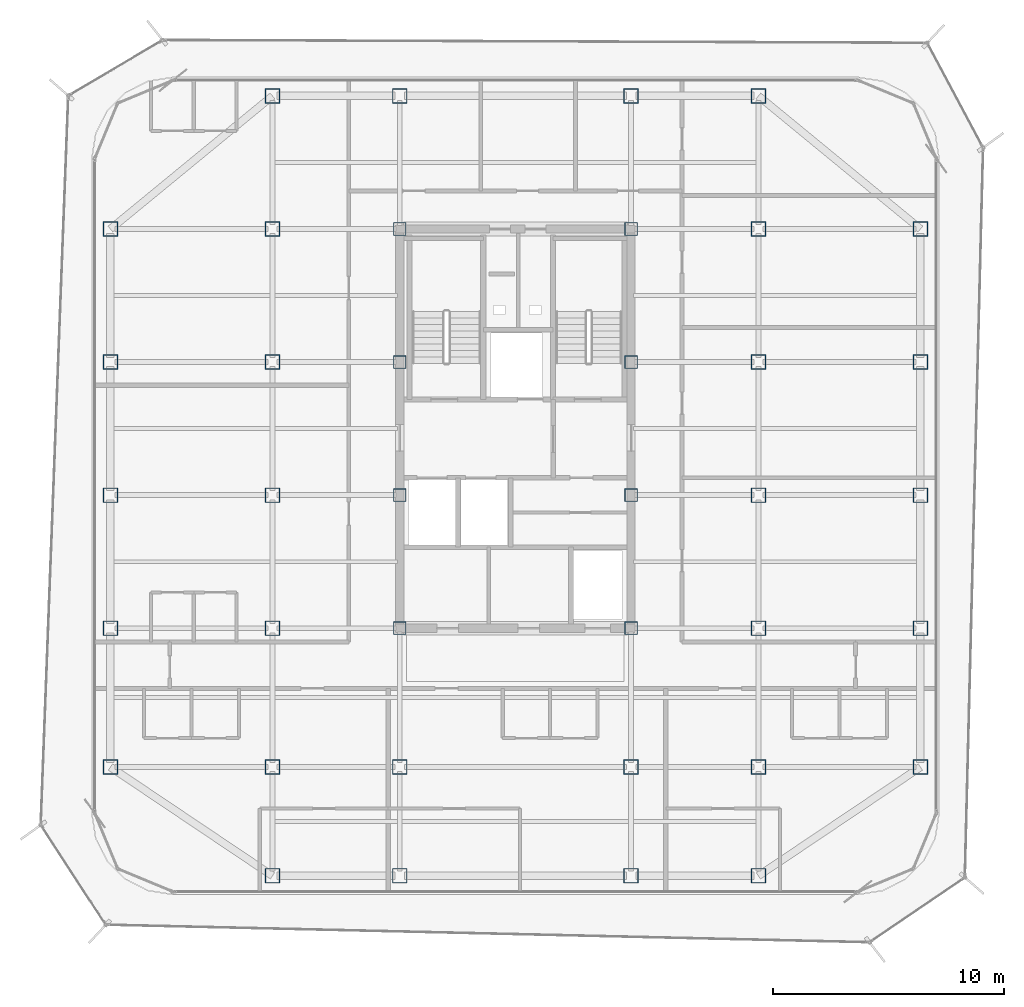
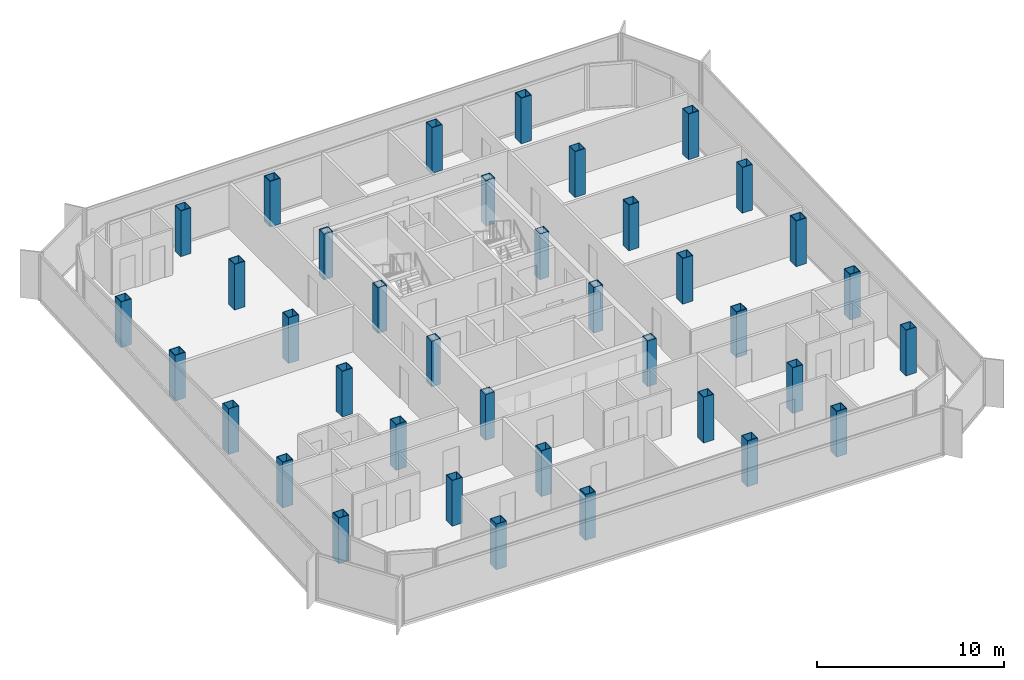
# One storey, part 1 of 15: 38 columns.
"""IFC4 building model written with IfcOpenShell, lengths in metres."""

from ifc_helpers import new_model, si_unit, direction, frame, origin, origin_2d, place, context, subcontext, project, spatial, hollow_rectangle, extrude, source, transform, mapped, material, material_profile, profile_set, type_object, element, save


model = new_model("IFC4")

# Units and contexts
model_context = context("Model", 3, precision=1e-05, world=origin(), true_north=direction((0.0, 1.0)))
body_context = subcontext(model_context, "Body", "Model", "MODEL_VIEW")
ifc_project = project(units=[si_unit("LENGTHUNIT", "METRE"), si_unit("AREAUNIT", "SQUARE_METRE"), si_unit("VOLUMEUNIT", "CUBIC_METRE"), si_unit("PLANEANGLEUNIT", "RADIAN"), si_unit("MASSUNIT", "GRAM", prefix="KILO")], contexts=[model_context])

# Site, building, storey
site_placement = place(None, origin())
site = spatial("IfcSite", under=ifc_project, at=site_placement, CompositionType="ELEMENT")
building_placement = place(site_placement, origin())
building = spatial("IfcBuilding", under=site, at=building_placement, Name="Kolveth Station Tower", CompositionType="ELEMENT")
storey_placement = place(building_placement, frame((0.0, 0.0, 220.10009765625)))
storey = spatial("IfcBuildingStorey", under=building, at=storey_placement, Name="L62", CompositionType="ELEMENT", Elevation=220.10009765625)

# Columns
ifc_material = material(Name="Steel S355", Category="steel")
ifc_material_profile_1 = material_profile(ifc_material, hollow_rectangle(XDim=0.639892578125, YDim=0.639892578125, WallThickness=0.034912109375, at=origin_2d()), Name="BOX640x640x35")
ifc_profile_set_1 = profile_set([ifc_material_profile_1], Name="Steel S355")
column_type_1 = type_object("IfcColumnType", Name="Col_C7", PredefinedType="COLUMN", material=ifc_profile_set_1)
shared_shape_1 = source(origin(), body_context, "Body", "SweptSolid", [
    extrude(hollow_rectangle(XDim=0.639892578125, YDim=0.639892578125, WallThickness=0.034912109375, at=origin_2d()), origin(), (0.0, 0.0, 1.0), 2.97998046875),
])
for number, where, z_axis, x_axis, name in (
    (1, (13.0, 0.800048828125, 0.0), (0.0, 0.0, 1.0), (1.0, 0.0, 0.0), "L62 Tower Column S-X130"),
    (2, (13.0, 34.5, 0.0), (0.0, 0.0, 1.0), (1.0, 0.0, 0.0), "L62 Tower Column N-X130"),
    (3, (18.5, 0.800048828125, 0.0), (0.0, 0.0, 1.0), (1.0, 0.0, 0.0), "L62 Tower Column S-X185"),
    (4, (18.5, 34.5, 0.0), (0.0, 0.0, 1.0), (1.0, 0.0, 0.0), "L62 Tower Column N-X185"),
    (5, (28.5, 0.800048828125, 0.0), (0.0, 0.0, 1.0), (1.0, 0.0, 0.0), "L62 Tower Column S-X285"),
    (6, (28.5, 34.5, 0.0), (0.0, 0.0, 1.0), (1.0, 0.0, 0.0), "L62 Tower Column N-X285"),
    (7, (34.0, 0.800048828125, 0.0), (0.0, 0.0, 1.0), (1.0, 0.0, 0.0), "L62 Tower Column S-X340"),
    (8, (34.0, 34.5, 0.0), (0.0, 0.0, 1.0), (1.0, 0.0, 0.0), "L62 Tower Column N-X340"),
    (9, (6.0, 5.5, 0.0), (0.0, 0.0, 1.0), (1.0, 0.0, 0.0), "L62 Tower Column W-Y55"),
    (10, (41.0, 5.5, 0.0), (0.0, 0.0, 1.0), (1.0, 0.0, 0.0), "L62 Tower Column E-Y55"),
    (11, (6.0, 11.5, 0.0), (0.0, 0.0, 1.0), (1.0, 0.0, 0.0), "L62 Tower Column W-Y115"),
    (12, (41.0, 11.5, 0.0), (0.0, 0.0, 1.0), (1.0, 0.0, 0.0), "L62 Tower Column E-Y115"),
    (13, (6.0, 17.25, 0.0), (0.0, 0.0, 1.0), (1.0, 0.0, 0.0), "L62 Tower Column W-Y172"),
    (14, (41.0, 17.25, 0.0), (0.0, 0.0, 1.0), (1.0, 0.0, 0.0), "L62 Tower Column E-Y172"),
    (15, (6.0, 23.0, 0.0), (0.0, 0.0, 1.0), (1.0, 0.0, 0.0), "L62 Tower Column W-Y230"),
    (16, (41.0, 23.0, 0.0), (0.0, 0.0, 1.0), (1.0, 0.0, 0.0), "L62 Tower Column E-Y230"),
    (17, (6.0, 28.75, 0.0), (0.0, 0.0, 1.0), (1.0, 0.0, 0.0), "L62 Tower Column W-Y287"),
    (18, (41.0, 28.75, 0.0), (0.0, 0.0, 1.0), (1.0, 0.0, 0.0), "L62 Tower Column E-Y287"),
    (19, (13.0, 5.5, 0.0), (0.0, 0.0, 1.0), (1.0, 0.0, 0.0), "L62 Tower Column G-130-55"),
    (20, (13.0, 11.5, 0.0), (0.0, 0.0, 1.0), (1.0, 0.0, 0.0), "L62 Tower Column G-130-115"),
    (21, (13.0, 17.25, 0.0), (0.0, 0.0, 1.0), (1.0, 0.0, 0.0), "L62 Tower Column G-130-172"),
    (22, (13.0, 23.0, 0.0), (0.0, 0.0, 1.0), (1.0, 0.0, 0.0), "L62 Tower Column G-130-230"),
    (23, (13.0, 28.75, 0.0), (0.0, 0.0, 1.0), (1.0, 0.0, 0.0), "L62 Tower Column G-130-287"),
    (24, (18.5, 5.5, 0.0), (0.0, 0.0, 1.0), (1.0, 0.0, 0.0), "L62 Tower Column G-185-55"),
    (25, (28.5, 5.5, 0.0), (0.0, 0.0, 1.0), (1.0, 0.0, 0.0), "L62 Tower Column G-285-55"),
    (26, (34.0, 5.5, 0.0), (0.0, 0.0, 1.0), (1.0, 0.0, 0.0), "L62 Tower Column G-340-55"),
    (27, (34.0, 11.5, 0.0), (0.0, 0.0, 1.0), (1.0, 0.0, 0.0), "L62 Tower Column G-340-115"),
    (28, (34.0, 17.25, 0.0), (0.0, 0.0, 1.0), (1.0, 0.0, 0.0), "L62 Tower Column G-340-172"),
    (29, (34.0, 23.0, 0.0), (0.0, 0.0, 1.0), (1.0, 0.0, 0.0), "L62 Tower Column G-340-230"),
    (30, (34.0, 28.75, 0.0), (0.0, 0.0, 1.0), (1.0, 0.0, 0.0), "L62 Tower Column G-340-287"),
):
    element("IfcColumn", number, at=place(storey_placement, frame(where, z_axis=z_axis, x_axis=x_axis)), inside=storey, type_object=column_type_1, Name=name, PredefinedType="COLUMN", context=body_context, shape_type="MappedRepresentation", body=[
        mapped(shared_shape_1, transform((0.0, 0.0, 0.0), x_axis=(1.0, 0.0, 0.0), y_axis=(0.0, 1.0, 0.0), z_axis=(0.0, 0.0, 1.0), scale=1.0)),
    ])
ifc_material_profile_2 = material_profile(ifc_material, hollow_rectangle(XDim=0.56005859375, YDim=0.56005859375, WallThickness=0.030029296875, at=origin_2d()), Name="BOX560x560x30")
ifc_profile_set_2 = profile_set([ifc_material_profile_2], Name="Steel S355")
column_type_2 = type_object("IfcColumnType", Name="Col_C8", PredefinedType="COLUMN", material=ifc_profile_set_2)
shared_shape_2 = source(origin(), body_context, "Body", "SweptSolid", [
    extrude(hollow_rectangle(XDim=0.56005859375, YDim=0.56005859375, WallThickness=0.030029296875, at=origin_2d()), origin(), (0.0, 0.0, 1.0), 2.97998046875),
])
for number, where, z_axis, x_axis, name in (
    (31, (18.5, 11.5, 0.0), (0.0, 0.0, 1.0), (1.0, 0.0, 0.0), "L62 Tower Column G-185-115"),
    (32, (18.5, 17.25, 0.0), (0.0, 0.0, 1.0), (1.0, 0.0, 0.0), "L62 Tower Column G-185-172"),
    (33, (18.5, 23.0, 0.0), (0.0, 0.0, 1.0), (1.0, 0.0, 0.0), "L62 Tower Column G-185-230"),
    (34, (18.5, 28.75, 0.0), (0.0, 0.0, 1.0), (1.0, 0.0, 0.0), "L62 Tower Column G-185-287"),
    (35, (28.5, 11.5, 0.0), (0.0, 0.0, 1.0), (1.0, 0.0, 0.0), "L62 Tower Column G-285-115"),
    (36, (28.5, 17.25, 0.0), (0.0, 0.0, 1.0), (1.0, 0.0, 0.0), "L62 Tower Column G-285-172"),
    (37, (28.5, 23.0, 0.0), (0.0, 0.0, 1.0), (1.0, 0.0, 0.0), "L62 Tower Column G-285-230"),
    (38, (28.5, 28.75, 0.0), (0.0, 0.0, 1.0), (1.0, 0.0, 0.0), "L62 Tower Column G-285-287"),
):
    element("IfcColumn", number, at=place(storey_placement, frame(where, z_axis=z_axis, x_axis=x_axis)), inside=storey, type_object=column_type_2, Name=name, PredefinedType="COLUMN", context=body_context, shape_type="MappedRepresentation", body=[
        mapped(shared_shape_2, transform((0.0, 0.0, 0.0), x_axis=(1.0, 0.0, 0.0), y_axis=(0.0, 1.0, 0.0), z_axis=(0.0, 0.0, 1.0), scale=1.0)),
    ])

save(model, "model.ifc")
